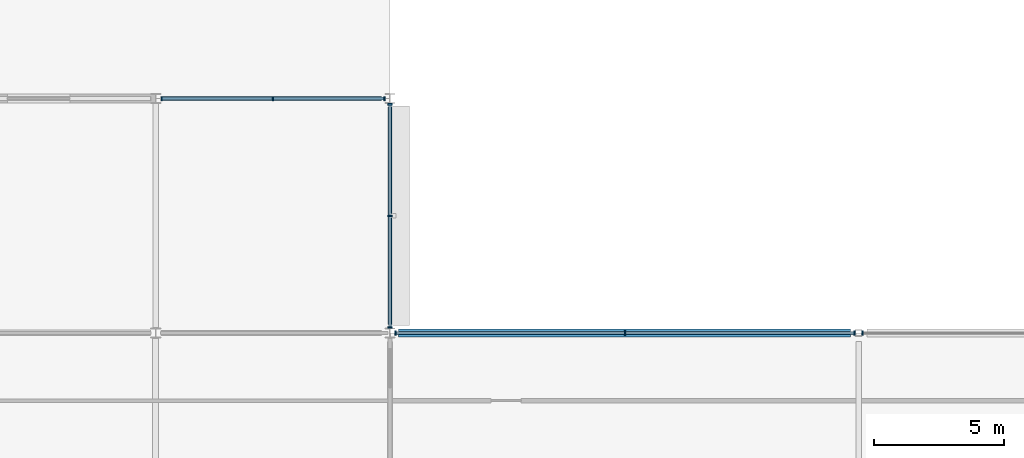
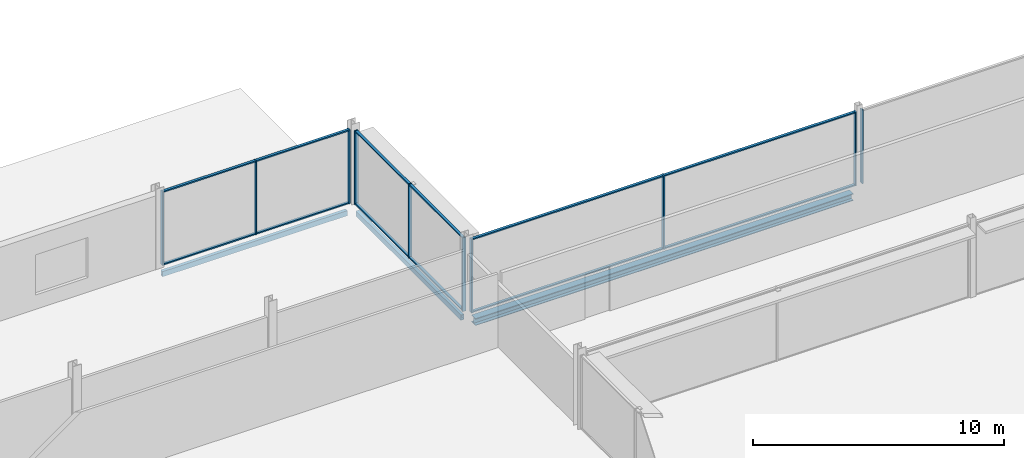
# One storey, part 33 of 105: 22 members, 3 beams, 4 elements without a shape of their own.
"""IFC4 building model written with IfcOpenShell, lengths in metres."""

from ifc_helpers import new_model, si_unit, direction, frame, origin, origin_2d, place, context, subcontext, project, spatial, rectangle, hollow_rectangle, i_section, extrude, material, layer, layer_set, material_profile, profile_set, type_object, element, aggregate, save


model = new_model("IFC4")

# Units and contexts
model_context = context("Model", 3, precision=1e-05, world=origin(), true_north=direction((0.0, 1.0)))
body_context = subcontext(model_context, "Body", "Model", "MODEL_VIEW")
ifc_project = project(units=[si_unit("LENGTHUNIT", "METRE"), si_unit("AREAUNIT", "SQUARE_METRE"), si_unit("VOLUMEUNIT", "CUBIC_METRE"), si_unit("PLANEANGLEUNIT", "RADIAN"), si_unit("MASSUNIT", "GRAM", prefix="KILO")], contexts=[model_context])

# Site, building, storey
site_placement = place(None, origin())
site = spatial("IfcSite", under=ifc_project, at=site_placement, CompositionType="ELEMENT")
building_placement = place(site_placement, origin())
building = spatial("IfcBuilding", under=site, at=building_placement, Name="Kisiwana Market Hall", CompositionType="ELEMENT")
storey_placement = place(building_placement, frame((0.0, 0.0, 21.60009765625)))
storey = spatial("IfcBuildingStorey", under=building, at=storey_placement, Name="L04", CompositionType="ELEMENT", Elevation=21.60009765625)

# Beams
ifc_material_1 = material(Name="Steel S355", Category="steel")
ifc_material_profile_1 = material_profile(ifc_material_1, i_section(OverallWidth=0.314453125, OverallDepth=0.33984375, WebThickness=0.01904296875, FlangeThickness=0.031494140625, at=origin_2d()), Name="UC 305x305x198")
ifc_profile_set_1 = profile_set([ifc_material_profile_1], Name="Steel S355")
beam_type_1 = type_object("IfcBeamType", Name="BM-SKYBR-CHORD", PredefinedType="BEAM", material=ifc_profile_set_1)
beam_1_placement = place(storey_placement, frame((45.321044921875, 102.0, -0.43505859375), z_axis=(1.0, 0.0, 0.0), x_axis=(0.0, 1.0, 0.0)))
element("IfcBeam", 1, at=beam_1_placement, inside=storey, type_object=beam_type_1, Name="Floor beam B-1471", PredefinedType="BEAM", context=body_context, shape_type="SweptSolid", body=[
    extrude(i_section(OverallWidth=0.314453125, OverallDepth=0.33984375, WebThickness=0.01904296875, FlangeThickness=0.031494140625, at=origin_2d()), origin(), (0.0, 0.0, 1.0), 17.35791015625),
])
ifc_material_2 = material(Name="Steel S355", Category="steel")
ifc_material_profile_2 = material_profile(ifc_material_2, hollow_rectangle(XDim=0.14990234375, YDim=0.25, WallThickness=0.010009765625, at=origin_2d()), Name="RHS 250x150x10.0")
ifc_profile_set_2 = profile_set([ifc_material_profile_2], Name="Steel S355")
beam_type_2 = type_object("IfcBeamType", Name="BM-SPAN-RHS250", PredefinedType="SPANDREL", material=ifc_profile_set_2)
beam_2_placement = place(storey_placement, frame((36.195556640625, 111.0, -0.4169921875), z_axis=(1.0, 0.0, 0.0), x_axis=(0.0, 1.0, 0.0)))
element("IfcBeam", 2, at=beam_2_placement, inside=storey, type_object=beam_type_2, Name="Floor beam B-1484", PredefinedType="SPANDREL", context=body_context, shape_type="SweptSolid", body=[
    extrude(hollow_rectangle(XDim=0.14990234375, YDim=0.25, WallThickness=0.010009765625, at=origin_2d()), origin(), (0.0, 0.0, 1.0), 8.4833984375),
])
beam_3_placement = place(storey_placement, frame((45.0, 102.321044921875, -0.3701171875), z_axis=(0.0, 1.0, 0.0), x_axis=(-1.0, 0.0, 0.0)))
element("IfcBeam", 3, at=beam_3_placement, inside=storey, type_object=beam_type_2, Name="Floor beam B-1502", PredefinedType="SPANDREL", context=body_context, shape_type="SweptSolid", body=[
    extrude(hollow_rectangle(XDim=0.14990234375, YDim=0.25, WallThickness=0.010009765625, at=origin_2d()), origin(), (0.0, 0.0, 1.0), 8.35791015625),
])

# Curtain wall, members
ifc_material_3 = material(Name="Double-glazed solar-control low-E IGU", Category="glass")
ifc_layer = layer(ifc_material_3, 0.159912109375)
ifc_layer_set = layer_set([ifc_layer], Name="CW-ZNA-EW-8200")
curtain_wall_type = type_object("IfcCurtainWallType", Name="CW-ZNA-EW-8200", PredefinedType="USERDEFINED", material=ifc_layer_set)
curtain_wall_1_placement = place(storey_placement, origin())
curtain_wall_1 = element("IfcCurtainWall", 4, at=curtain_wall_1_placement, inside=storey, type_object=curtain_wall_type, Name="Unitised curtain wall CW-110 (L04)", ObjectType="UNITISED CURTAIN WALL", PredefinedType="USERDEFINED")
ifc_material_4 = material(Name="Aluminium alloy 6063-T6", Category="aluminium")
ifc_material_profile_3 = material_profile(ifc_material_4, rectangle(XDim=0.06005859375, YDim=0.159912109375, at=origin_2d()), Name="ALU MULLION 60x160")
ifc_profile_set_3 = profile_set([ifc_material_profile_3], Name="Aluminium alloy 6063-T6")
member_type_1 = type_object("IfcMemberType", Name="CW-MULL-60x160", PredefinedType="MULLION", material=ifc_profile_set_3)
member_1_placement = place(storey_placement, frame((45.21630859375, 102.0, 0.0), z_axis=(0.0, 0.0, 1.0), x_axis=(1.0, 0.0, 0.0)))
member_1 = element("IfcMember", 5, at=member_1_placement, type_object=member_type_1, Name="CW-110 mullion 1", PredefinedType="MULLION", context=body_context, shape_type="SweptSolid", body=[
    extrude(rectangle(XDim=0.06005859375, YDim=0.159912109375, at=origin_2d()), origin(), (0.0, 0.0, 1.0), 3.5849609375),
])
member_2_placement = place(storey_placement, frame((54.03076171875, 102.0, 0.0), z_axis=(0.0, 0.0, 1.0), x_axis=(1.0, 0.0, 0.0)))
member_2 = element("IfcMember", 6, at=member_2_placement, type_object=member_type_1, Name="CW-110 mullion 2", PredefinedType="MULLION", context=body_context, shape_type="SweptSolid", body=[
    extrude(rectangle(XDim=0.06005859375, YDim=0.159912109375, at=origin_2d()), origin(), (0.0, 0.0, 1.0), 3.5849609375),
])
member_3_placement = place(storey_placement, frame((62.844970703125, 102.0, 0.0), z_axis=(0.0, 0.0, 1.0), x_axis=(1.0, 0.0, 0.0)))
member_3 = element("IfcMember", 7, at=member_3_placement, type_object=member_type_1, Name="CW-110 mullion 3", PredefinedType="MULLION", context=body_context, shape_type="SweptSolid", body=[
    extrude(rectangle(XDim=0.06005859375, YDim=0.159912109375, at=origin_2d()), origin(), (0.0, 0.0, 1.0), 3.5849609375),
])

# Curtain wall, member
curtain_wall_2_placement = place(storey_placement, origin())
curtain_wall_2 = element("IfcCurtainWall", 8, at=curtain_wall_2_placement, inside=storey, type_object=curtain_wall_type, Name="Unitised curtain wall CW-111 (L04)", ObjectType="UNITISED CURTAIN WALL", PredefinedType="USERDEFINED")
member_4_placement = place(storey_placement, frame((63.155029296875, 102.0, 0.0), z_axis=(0.0, 0.0, 1.0), x_axis=(1.0, 0.0, 0.0)))
member_4 = element("IfcMember", 9, at=member_4_placement, type_object=member_type_1, Name="CW-111 mullion 1", PredefinedType="MULLION", context=body_context, shape_type="SweptSolid", body=[
    extrude(rectangle(XDim=0.06005859375, YDim=0.159912109375, at=origin_2d()), origin(), (0.0, 0.0, 1.0), 3.5849609375),
])
aggregate(curtain_wall_2, [member_4])

# Curtain wall, members
curtain_wall_3_placement = place(storey_placement, origin())
curtain_wall_3 = element("IfcCurtainWall", 10, at=curtain_wall_3_placement, inside=storey, type_object=curtain_wall_type, Name="Unitised curtain wall CW-116 (L04)", ObjectType="UNITISED CURTAIN WALL", PredefinedType="USERDEFINED")
member_5_placement = place(storey_placement, frame((36.21630859375, 111.0, 0.0), z_axis=(0.0, 0.0, 1.0), x_axis=(1.0, 0.0, 0.0)))
member_5 = element("IfcMember", 11, at=member_5_placement, type_object=member_type_1, Name="CW-116 mullion 1", PredefinedType="MULLION", context=body_context, shape_type="SweptSolid", body=[
    extrude(rectangle(XDim=0.06005859375, YDim=0.159912109375, at=origin_2d()), origin(), (0.0, 0.0, 1.0), 3.5849609375),
])
member_6_placement = place(storey_placement, frame((40.5, 111.0, 0.0), z_axis=(0.0, 0.0, 1.0), x_axis=(1.0, 0.0, 0.0)))
member_6 = element("IfcMember", 12, at=member_6_placement, type_object=member_type_1, Name="CW-116 mullion 2", PredefinedType="MULLION", context=body_context, shape_type="SweptSolid", body=[
    extrude(rectangle(XDim=0.06005859375, YDim=0.159912109375, at=origin_2d()), origin(), (0.0, 0.0, 1.0), 3.5849609375),
])
member_7_placement = place(storey_placement, frame((44.78369140625, 111.0, 0.0), z_axis=(0.0, 0.0, 1.0), x_axis=(1.0, 0.0, 0.0)))
member_7 = element("IfcMember", 13, at=member_7_placement, type_object=member_type_1, Name="CW-116 mullion 3", PredefinedType="MULLION", context=body_context, shape_type="SweptSolid", body=[
    extrude(rectangle(XDim=0.06005859375, YDim=0.159912109375, at=origin_2d()), origin(), (0.0, 0.0, 1.0), 3.5849609375),
])

curtain_wall_4_placement = place(storey_placement, origin())
curtain_wall_4 = element("IfcCurtainWall", 14, at=curtain_wall_4_placement, inside=storey, type_object=curtain_wall_type, Name="Unitised curtain wall CW-123 (L04)", ObjectType="UNITISED CURTAIN WALL", PredefinedType="USERDEFINED")
member_8_placement = place(storey_placement, frame((45.0, 102.214111328125, 0.0), z_axis=(0.0, 0.0, 1.0), x_axis=(0.0, 1.0, 0.0)))
member_8 = element("IfcMember", 15, at=member_8_placement, type_object=member_type_1, Name="CW-123 mullion 1", PredefinedType="MULLION", context=body_context, shape_type="SweptSolid", body=[
    extrude(rectangle(XDim=0.06005859375, YDim=0.159912109375, at=origin_2d()), origin(), (0.0, 0.0, 1.0), 3.5849609375),
])
member_9_placement = place(storey_placement, frame((45.0, 106.5, 0.0), z_axis=(0.0, 0.0, 1.0), x_axis=(0.0, 1.0, 0.0)))
member_9 = element("IfcMember", 16, at=member_9_placement, type_object=member_type_1, Name="CW-123 mullion 2", PredefinedType="MULLION", context=body_context, shape_type="SweptSolid", body=[
    extrude(rectangle(XDim=0.06005859375, YDim=0.159912109375, at=origin_2d()), origin(), (0.0, 0.0, 1.0), 3.5849609375),
])
member_10_placement = place(storey_placement, frame((45.0, 110.785888671875, 0.0), z_axis=(0.0, 0.0, 1.0), x_axis=(0.0, 1.0, 0.0)))
member_10 = element("IfcMember", 17, at=member_10_placement, type_object=member_type_1, Name="CW-123 mullion 3", PredefinedType="MULLION", context=body_context, shape_type="SweptSolid", body=[
    extrude(rectangle(XDim=0.06005859375, YDim=0.159912109375, at=origin_2d()), origin(), (0.0, 0.0, 1.0), 3.5849609375),
])

# Member
ifc_material_5 = material(Name="Aluminium alloy 6063-T6", Category="aluminium")
ifc_material_profile_4 = material_profile(ifc_material_5, rectangle(XDim=0.1201171875, YDim=0.06005859375, at=origin_2d()), Name="ALU TRANSOM 60x120")
ifc_profile_set_4 = profile_set([ifc_material_profile_4], Name="Aluminium alloy 6063-T6")
member_type_2 = type_object("IfcMemberType", Name="CW-TRAN-60x120", PredefinedType="USERDEFINED", material=ifc_profile_set_4)
member_11_placement = place(storey_placement, frame((45.246337890625, 102.0, 0.02978515625), z_axis=(1.0, 0.0, 0.0), x_axis=(0.0, 1.0, 0.0)))
member_11 = element("IfcMember", 18, at=member_11_placement, type_object=member_type_2, Name="CW-110 transom 1.1", ObjectType="TRANSOM", PredefinedType="USERDEFINED", context=body_context, shape_type="SweptSolid", body=[
    extrude(rectangle(XDim=0.1201171875, YDim=0.06005859375, at=origin_2d()), origin(), (0.0, 0.0, 1.0), 8.75439453125),
])

member_12_placement = place(storey_placement, frame((45.246337890625, 102.0, 3.554931640625), z_axis=(1.0, 0.0, 0.0), x_axis=(0.0, 1.0, 0.0)))
member_12 = element("IfcMember", 19, at=member_12_placement, type_object=member_type_2, Name="CW-110 transom 1.2", ObjectType="TRANSOM", PredefinedType="USERDEFINED", context=body_context, shape_type="SweptSolid", body=[
    extrude(rectangle(XDim=0.1201171875, YDim=0.06005859375, at=origin_2d()), origin(), (0.0, 0.0, 1.0), 8.75439453125),
])

member_13_placement = place(storey_placement, frame((54.060546875, 102.0, 0.02978515625), z_axis=(1.0, 0.0, 0.0), x_axis=(0.0, 1.0, 0.0)))
member_13 = element("IfcMember", 20, at=member_13_placement, type_object=member_type_2, Name="CW-110 transom 2.1", ObjectType="TRANSOM", PredefinedType="USERDEFINED", context=body_context, shape_type="SweptSolid", body=[
    extrude(rectangle(XDim=0.1201171875, YDim=0.06005859375, at=origin_2d()), origin(), (0.0, 0.0, 1.0), 8.75439453125),
])

member_14_placement = place(storey_placement, frame((54.060546875, 102.0, 3.554931640625), z_axis=(1.0, 0.0, 0.0), x_axis=(0.0, 1.0, 0.0)))
member_14 = element("IfcMember", 21, at=member_14_placement, type_object=member_type_2, Name="CW-110 transom 2.2", ObjectType="TRANSOM", PredefinedType="USERDEFINED", context=body_context, shape_type="SweptSolid", body=[
    extrude(rectangle(XDim=0.1201171875, YDim=0.06005859375, at=origin_2d()), origin(), (0.0, 0.0, 1.0), 8.75439453125),
])

aggregate(curtain_wall_1, [member_1, member_2, member_3, member_11, member_12, member_13, member_14])

member_15_placement = place(storey_placement, frame((36.246337890625, 111.0, 0.02978515625), z_axis=(1.0, 0.0, 0.0), x_axis=(0.0, 1.0, 0.0)))
member_15 = element("IfcMember", 22, at=member_15_placement, type_object=member_type_2, Name="CW-116 transom 1.1", ObjectType="TRANSOM", PredefinedType="USERDEFINED", context=body_context, shape_type="SweptSolid", body=[
    extrude(rectangle(XDim=0.1201171875, YDim=0.06005859375, at=origin_2d()), origin(), (0.0, 0.0, 1.0), 4.2236328125),
])

member_16_placement = place(storey_placement, frame((36.246337890625, 111.0, 3.554931640625), z_axis=(1.0, 0.0, 0.0), x_axis=(0.0, 1.0, 0.0)))
member_16 = element("IfcMember", 23, at=member_16_placement, type_object=member_type_2, Name="CW-116 transom 1.2", ObjectType="TRANSOM", PredefinedType="USERDEFINED", context=body_context, shape_type="SweptSolid", body=[
    extrude(rectangle(XDim=0.1201171875, YDim=0.06005859375, at=origin_2d()), origin(), (0.0, 0.0, 1.0), 4.2236328125),
])

member_17_placement = place(storey_placement, frame((40.530029296875, 111.0, 0.02978515625), z_axis=(1.0, 0.0, 0.0), x_axis=(0.0, 1.0, 0.0)))
member_17 = element("IfcMember", 24, at=member_17_placement, type_object=member_type_2, Name="CW-116 transom 2.1", ObjectType="TRANSOM", PredefinedType="USERDEFINED", context=body_context, shape_type="SweptSolid", body=[
    extrude(rectangle(XDim=0.1201171875, YDim=0.06005859375, at=origin_2d()), origin(), (0.0, 0.0, 1.0), 4.2236328125),
])

member_18_placement = place(storey_placement, frame((40.530029296875, 111.0, 3.554931640625), z_axis=(1.0, 0.0, 0.0), x_axis=(0.0, 1.0, 0.0)))
member_18 = element("IfcMember", 25, at=member_18_placement, type_object=member_type_2, Name="CW-116 transom 2.2", ObjectType="TRANSOM", PredefinedType="USERDEFINED", context=body_context, shape_type="SweptSolid", body=[
    extrude(rectangle(XDim=0.1201171875, YDim=0.06005859375, at=origin_2d()), origin(), (0.0, 0.0, 1.0), 4.2236328125),
])

aggregate(curtain_wall_3, [member_5, member_6, member_7, member_15, member_16, member_17, member_18])

member_19_placement = place(storey_placement, frame((45.0, 102.244140625, 0.02978515625), z_axis=(0.0, 1.0, 0.0), x_axis=(-1.0, 0.0, 0.0)))
member_19 = element("IfcMember", 26, at=member_19_placement, type_object=member_type_2, Name="CW-123 transom 1.1", ObjectType="TRANSOM", PredefinedType="USERDEFINED", context=body_context, shape_type="SweptSolid", body=[
    extrude(rectangle(XDim=0.1201171875, YDim=0.06005859375, at=origin_2d()), origin(), (0.0, 0.0, 1.0), 4.225830078125),
])

member_20_placement = place(storey_placement, frame((45.0, 102.244140625, 3.554931640625), z_axis=(0.0, 1.0, 0.0), x_axis=(-1.0, 0.0, 0.0)))
member_20 = element("IfcMember", 27, at=member_20_placement, type_object=member_type_2, Name="CW-123 transom 1.2", ObjectType="TRANSOM", PredefinedType="USERDEFINED", context=body_context, shape_type="SweptSolid", body=[
    extrude(rectangle(XDim=0.1201171875, YDim=0.06005859375, at=origin_2d()), origin(), (0.0, 0.0, 1.0), 4.225830078125),
])

member_21_placement = place(storey_placement, frame((45.0, 106.530029296875, 0.02978515625), z_axis=(0.0, 1.0, 0.0), x_axis=(-1.0, 0.0, 0.0)))
member_21 = element("IfcMember", 28, at=member_21_placement, type_object=member_type_2, Name="CW-123 transom 2.1", ObjectType="TRANSOM", PredefinedType="USERDEFINED", context=body_context, shape_type="SweptSolid", body=[
    extrude(rectangle(XDim=0.1201171875, YDim=0.06005859375, at=origin_2d()), origin(), (0.0, 0.0, 1.0), 4.225830078125),
])

member_22_placement = place(storey_placement, frame((45.0, 106.530029296875, 3.554931640625), z_axis=(0.0, 1.0, 0.0), x_axis=(-1.0, 0.0, 0.0)))
member_22 = element("IfcMember", 29, at=member_22_placement, type_object=member_type_2, Name="CW-123 transom 2.2", ObjectType="TRANSOM", PredefinedType="USERDEFINED", context=body_context, shape_type="SweptSolid", body=[
    extrude(rectangle(XDim=0.1201171875, YDim=0.06005859375, at=origin_2d()), origin(), (0.0, 0.0, 1.0), 4.225830078125),
])

aggregate(curtain_wall_4, [member_8, member_9, member_10, member_19, member_20, member_21, member_22])

save(model, "model.ifc")
